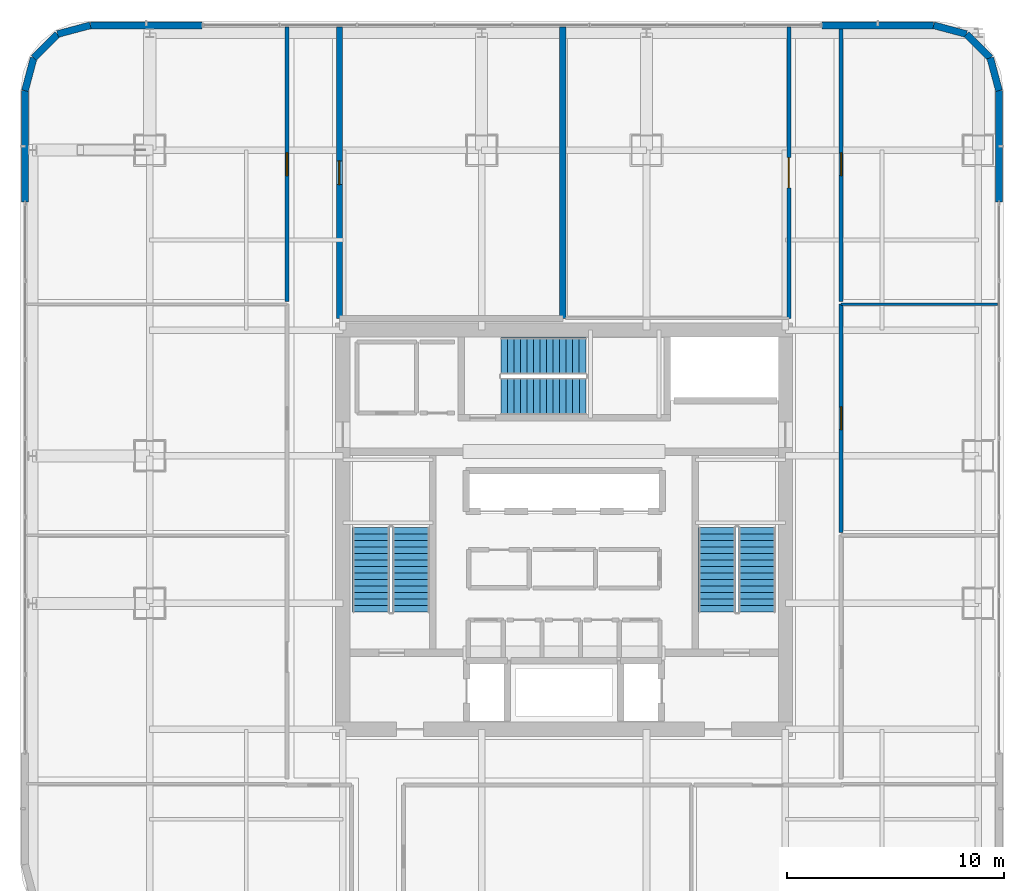
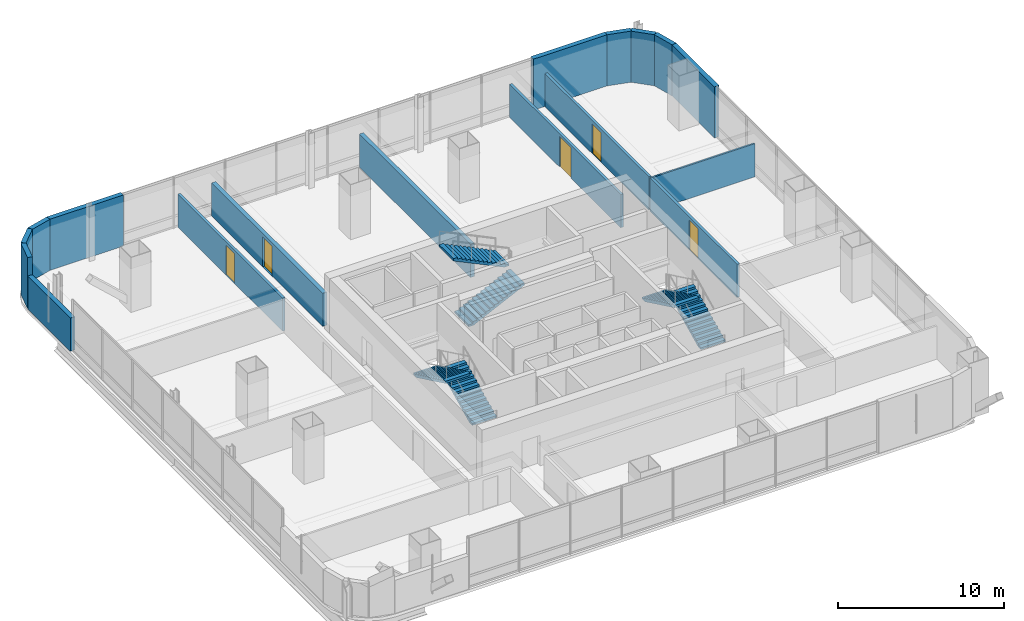
# One storey, part 35 of 47: 17 walls, 6 stair flights, 5 doors, 5 openings, 3 elements without a shape of their own.
"""IFC4 building model written with IfcOpenShell, lengths in metres."""

from ifc_helpers import new_model, si_unit, direction, frame, frame_2d, origin, place, context, subcontext, project, spatial, polyline, rectangle, outline, extrude, material, layer, layer_set, type_object, element, fill, aggregate, save


model = new_model("IFC4")

# Units and contexts
model_context = context("Model", 3, precision=1e-05, world=origin(), true_north=direction((0.0, 1.0)))
body_context = subcontext(model_context, "Body", "Model", "MODEL_VIEW")
ifc_project = project(units=[si_unit("LENGTHUNIT", "METRE"), si_unit("AREAUNIT", "SQUARE_METRE"), si_unit("VOLUMEUNIT", "CUBIC_METRE"), si_unit("PLANEANGLEUNIT", "RADIAN"), si_unit("MASSUNIT", "GRAM", prefix="KILO")], contexts=[model_context])

# Site, building, storey
site_placement = place(None, origin())
site = spatial("IfcSite", under=ifc_project, at=site_placement, CompositionType="ELEMENT")
building_placement = place(site_placement, origin())
building = spatial("IfcBuilding", under=site, at=building_placement, Name="Punatoya Terracotta Tower", CompositionType="ELEMENT")
storey_placement = place(building_placement, frame((0.0, 0.0, 168.14990234375)))
storey = spatial("IfcBuildingStorey", under=building, at=storey_placement, Name="L39", CompositionType="ELEMENT", Elevation=168.14990234375)

# Wall
ifc_material_1 = material(Name="Concrete C40/50", Category="concrete")
ifc_layer_1 = layer(ifc_material_1, 0.280029296875)
ifc_layer_set_1 = layer_set([ifc_layer_1], Name="Concrete C40/50")
wall_type_1 = type_object("IfcWallType", Name="WL-AUD-280", PredefinedType="SOLIDWALL", material=ifc_layer_set_1)
wall_1_placement = place(storey_placement, frame((-0.06005859375, 23.169921875, 0.0), z_axis=(0.0, 0.0, 1.0), x_axis=(0.0, -1.0, 0.0)))
element("IfcWall", 1, at=wall_1_placement, inside=storey, type_object=wall_type_1, Name="L39 Open-Plan Fitness Movement Lounge Partition 44", PredefinedType="SOLIDWALL", context=body_context, shape_type="SweptSolid", body=[
    extrude(rectangle(XDim=13.429931640625, YDim=0.280029296875, at=frame_2d((6.71484375, 0.0))), origin(), (0.0, 0.0, 1.0), 2.444091796875),
])

# Wall, opening, door
wall_2_placement = place(storey_placement, frame((-10.360107421875, 9.739990234375, 0.0), z_axis=(0.0, 0.0, 1.0), x_axis=(0.0, 1.0, 0.0)))
wall_2 = element("IfcWall", 2, at=wall_2_placement, inside=storey, type_object=wall_type_1, Name="L39 Open-Plan Fitness Movement Lounge Partition 46", PredefinedType="SOLIDWALL", context=body_context, shape_type="SweptSolid", body=[
    extrude(rectangle(XDim=13.429931640625, YDim=0.280029296875, at=frame_2d((6.71484375, 0.0))), origin(), (0.0, 0.0, 1.0), 2.444091796875),
])
opening_1_placement = place(wall_2_placement, frame((6.1650390625, 0.0, 0.0)))
opening_1 = element("IfcOpeningElement", 3, at=opening_1_placement, cuts=wall_2, Name="Opening FD-P1", PredefinedType="OPENING", context=body_context, shape_type="SweptSolid", body=[
    extrude(rectangle(XDim=1.10009765625, YDim=2.199951171875, at=frame_2d((0.550048828125, 1.10009765625))), frame((0.0, 0.14990234375, 0.0), z_axis=(0.0, -1.0, 0.0), x_axis=(1.0, 0.0, 0.0)), (0.0, 0.0, 1.0), 0.300048828125),
])
ifc_material_2 = material(Name="Galvanised Steel Plant Fire Door", Category="steel")
door_type_1 = type_object("IfcDoorType", Name="DR-PLT-1100", OperationType="NOTDEFINED", PredefinedType="DOOR", material=ifc_material_2)
door_1_placement = place(opening_1_placement, origin())
door_1 = element("IfcDoor", 4, at=door_1_placement, inside=storey, type_object=door_type_1, Name="L39 Open-Plan Fitness Movement Lounge Fire Door", OperationType="SINGLE_SWING_LEFT", OverallHeight=2.199951171875, OverallWidth=1.10009765625, PredefinedType="DOOR", context=body_context, shape_type="SweptSolid", body=[
    extrude(rectangle(XDim=1.10009765625, YDim=2.199951171875, at=frame_2d((0.550048828125, 1.10009765625))), frame((0.0, 0.02490234375, 0.0), z_axis=(0.0, -1.0, 0.0), x_axis=(1.0, 0.0, 0.0)), (0.0, 0.0, 1.0), 0.050048828125),
])
fill(opening_1, door_1)

ifc_material_3 = material(Name="Gypsum Fireboard + Steel Stud", Category="steel")
ifc_layer_2 = layer(ifc_material_3, 0.179931640625)
ifc_layer_set_2 = layer_set([ifc_layer_2], Name="Gypsum Fireboard + Steel Stud")
wall_type_2 = type_object("IfcWallType", Name="WL-CORR-180", PredefinedType="PARTITIONING", material=ifc_layer_set_2)
wall_3_placement = place(storey_placement, frame((12.77001953125, -0.1298828125, 0.0), z_axis=(0.0, 0.0, 1.0), x_axis=(0.0, 1.0, 0.0)))
wall_3 = element("IfcWall", 5, at=wall_3_placement, inside=storey, type_object=wall_type_2, Name="L39 Open-Plan Cultural Reading Library Partition 42", PredefinedType="PARTITIONING", context=body_context, shape_type="SweptSolid", body=[
    extrude(rectangle(XDim=10.52978515625, YDim=0.179931640625, at=frame_2d((5.264892578125, 0.0))), origin(), (0.0, 0.0, 1.0), 2.444091796875),
])
opening_2_placement = place(wall_3_placement, frame((4.739990234375, 0.0, 0.0)))
opening_2 = element("IfcOpeningElement", 6, at=opening_2_placement, cuts=wall_3, Name="Opening OD-01", PredefinedType="OPENING", context=body_context, shape_type="SweptSolid", body=[
    extrude(rectangle(XDim=1.050048828125, YDim=2.199951171875, at=frame_2d((0.52490234375, 1.10009765625))), frame((0.0, 0.099853515625, 0.0), z_axis=(0.0, -1.0, 0.0), x_axis=(1.0, 0.0, 0.0)), (0.0, 0.0, 1.0), 0.199951171875),
])
ifc_material_4 = material(Name="Bengal Teak Solid-Core Leaf")
door_type_2 = type_object("IfcDoorType", Name="DR-OFF-1050", OperationType="NOTDEFINED", PredefinedType="DOOR", material=ifc_material_4)
door_2_placement = place(opening_2_placement, origin())
door_2 = element("IfcDoor", 7, at=door_2_placement, inside=storey, type_object=door_type_2, Name="L39 Open-Plan Cultural Reading Library Door", OperationType="SINGLE_SWING_RIGHT", OverallHeight=2.199951171875, OverallWidth=1.050048828125, PredefinedType="DOOR", context=body_context, shape_type="SweptSolid", body=[
    extrude(rectangle(XDim=1.050048828125, YDim=2.199951171875, at=frame_2d((0.52490234375, 1.10009765625))), frame((0.0, 0.02490234375, 0.0), z_axis=(0.0, -1.0, 0.0), x_axis=(1.0, 0.0, 0.0)), (0.0, 0.0, 1.0), 0.050048828125),
])
fill(opening_2, door_2)

wall_4_placement = place(storey_placement, frame((10.360107421875, 23.169921875, 0.0), z_axis=(0.0, 0.0, 1.0), x_axis=(0.0, -1.0, 0.0)))
wall_4 = element("IfcWall", 8, at=wall_4_placement, inside=storey, type_object=wall_type_2, Name="L39 Open-Plan Seminar Discussion Room Partition 48", PredefinedType="PARTITIONING", context=body_context, shape_type="SweptSolid", body=[
    extrude(rectangle(XDim=13.429931640625, YDim=0.179931640625, at=frame_2d((6.71484375, 0.0))), origin(), (0.0, 0.0, 1.0), 2.444091796875),
])
opening_3_placement = place(wall_4_placement, frame((6.014892578125, 0.0, 0.0)))
opening_3 = element("IfcOpeningElement", 9, at=opening_3_placement, cuts=wall_4, Name="Opening BD-01", PredefinedType="OPENING", context=body_context, shape_type="SweptSolid", body=[
    extrude(rectangle(XDim=1.39990234375, YDim=2.25, at=frame_2d((0.699951171875, 1.125))), frame((0.0, 0.099853515625, 0.0), z_axis=(0.0, -1.0, 0.0), x_axis=(1.0, 0.0, 0.0)), (0.0, 0.0, 1.0), 0.199951171875),
])
ifc_material_5 = material(Name="Bengal Teak Acoustic Leaf")
door_type_3 = type_object("IfcDoorType", Name="DR-BRD-1400", OperationType="NOTDEFINED", PredefinedType="DOOR", material=ifc_material_5)
door_3_placement = place(opening_3_placement, origin())
door_3 = element("IfcDoor", 10, at=door_3_placement, inside=storey, type_object=door_type_3, Name="L39 Open-Plan Seminar Discussion Room Door", OperationType="SINGLE_SWING_RIGHT", OverallHeight=2.25, OverallWidth=1.39990234375, PredefinedType="DOOR", context=body_context, shape_type="SweptSolid", body=[
    extrude(rectangle(XDim=1.39990234375, YDim=2.25, at=frame_2d((0.699951171875, 1.125))), frame((0.0, 0.02490234375, 0.0), z_axis=(0.0, -1.0, 0.0), x_axis=(1.0, 0.0, 0.0)), (0.0, 0.0, 1.0), 0.050048828125),
])
fill(opening_3, door_3)

wall_5_placement = place(storey_placement, frame((12.77001953125, 10.52001953125, 0.0), z_axis=(0.0, 0.0, 1.0), x_axis=(0.0, 1.0, 0.0)))
wall_5 = element("IfcWall", 11, at=wall_5_placement, inside=storey, type_object=wall_type_2, Name="L39 Open-Plan Coaching Briefing Room Partition 49", PredefinedType="PARTITIONING", context=body_context, shape_type="SweptSolid", body=[
    extrude(rectangle(XDim=12.64990234375, YDim=0.179931640625, at=frame_2d((6.324951171875, 0.0))), origin(), (0.0, 0.0, 1.0), 2.444091796875),
])
opening_4_placement = place(wall_5_placement, frame((5.800048828125, 0.0, 0.0)))
opening_4 = element("IfcOpeningElement", 12, at=opening_4_placement, cuts=wall_5, Name="Opening OD-01", PredefinedType="OPENING", context=body_context, shape_type="SweptSolid", body=[
    extrude(rectangle(XDim=1.050048828125, YDim=2.199951171875, at=frame_2d((0.52490234375, 1.10009765625))), frame((0.0, 0.099853515625, 0.0), z_axis=(0.0, -1.0, 0.0), x_axis=(1.0, 0.0, 0.0)), (0.0, 0.0, 1.0), 0.199951171875),
])
door_4_placement = place(opening_4_placement, origin())
door_4 = element("IfcDoor", 13, at=door_4_placement, inside=storey, type_object=door_type_2, Name="L39 Open-Plan Coaching Briefing Room Door", OperationType="SINGLE_SWING_LEFT", OverallHeight=2.199951171875, OverallWidth=1.050048828125, PredefinedType="DOOR", context=body_context, shape_type="SweptSolid", body=[
    extrude(rectangle(XDim=1.050048828125, YDim=2.199951171875, at=frame_2d((0.52490234375, 1.10009765625))), frame((0.0, 0.02490234375, 0.0), z_axis=(0.0, -1.0, 0.0), x_axis=(1.0, 0.0, 0.0)), (0.0, 0.0, 1.0), 0.050048828125),
])
fill(opening_4, door_4)

wall_6_placement = place(storey_placement, frame((-12.77001953125, 23.169921875, 0.0), z_axis=(0.0, 0.0, 1.0), x_axis=(0.0, -1.0, 0.0)))
wall_6 = element("IfcWall", 14, at=wall_6_placement, inside=storey, type_object=wall_type_2, Name="L39 Open-Plan Staff Wellness Studio Partition 50", PredefinedType="PARTITIONING", context=body_context, shape_type="SweptSolid", body=[
    extrude(rectangle(XDim=12.64990234375, YDim=0.179931640625, at=frame_2d((6.324951171875, 0.0))), origin(), (0.0, 0.0, 1.0), 2.444091796875),
])
opening_5_placement = place(wall_6_placement, frame((5.800048828125, 0.0, 0.0)))
opening_5 = element("IfcOpeningElement", 15, at=opening_5_placement, cuts=wall_6, Name="Opening OD-01", PredefinedType="OPENING", context=body_context, shape_type="SweptSolid", body=[
    extrude(rectangle(XDim=1.050048828125, YDim=2.199951171875, at=frame_2d((0.52490234375, 1.10009765625))), frame((0.0, 0.099853515625, 0.0), z_axis=(0.0, -1.0, 0.0), x_axis=(1.0, 0.0, 0.0)), (0.0, 0.0, 1.0), 0.199951171875),
])
door_5_placement = place(opening_5_placement, origin())
door_5 = element("IfcDoor", 16, at=door_5_placement, inside=storey, type_object=door_type_2, Name="L39 Open-Plan Staff Wellness Studio Door", OperationType="SINGLE_SWING_RIGHT", OverallHeight=2.199951171875, OverallWidth=1.050048828125, PredefinedType="DOOR", context=body_context, shape_type="SweptSolid", body=[
    extrude(rectangle(XDim=1.050048828125, YDim=2.199951171875, at=frame_2d((0.52490234375, 1.10009765625))), frame((0.0, 0.02490234375, 0.0), z_axis=(0.0, -1.0, 0.0), x_axis=(1.0, 0.0, 0.0)), (0.0, 0.0, 1.0), 0.050048828125),
])
fill(opening_5, door_5)

# Walls
ifc_material_6 = material(Name="Precast concrete C40/50", Category="concrete")
ifc_layer_3 = layer(ifc_material_6, 0.320068359375)
ifc_layer_set_3 = layer_set([ifc_layer_3], Name="Precast concrete C40/50")
wall_type_3 = type_object("IfcWallType", Name="WL-EXT-320", PredefinedType="SOLIDWALL", material=ifc_layer_set_3)
wall_7_placement = place(storey_placement, frame((20.050048828125, 15.10009765625, 0.0), z_axis=(0.0, 0.0, 1.0), x_axis=(0.0, 1.0, 0.0)))
element("IfcWall", 17, at=wall_7_placement, inside=storey, type_object=wall_type_3, Name="L39 Terracotta Braced Facade Wall E2", PredefinedType="SOLIDWALL", context=body_context, shape_type="SweptSolid", body=[
    extrude(rectangle(XDim=5.13671875, YDim=0.320068359375, at=frame_2d((2.568359375, 0.0))), origin(), (0.0, 0.0, 1.0), 3.77001953125),
])
wall_8_placement = place(storey_placement, frame((20.050048828125, 20.23681640625, 0.0), z_axis=(0.0, 0.0, 1.0), x_axis=(-0.257847112249, 0.966185730957, 0.0)))
element("IfcWall", 18, at=wall_8_placement, inside=storey, type_object=wall_type_3, Name="L39 Rounded Terracotta Corner Pier 06", PredefinedType="SOLIDWALL", context=body_context, shape_type="SweptSolid", body=[
    extrude(rectangle(XDim=1.565185546875, YDim=0.320068359375, at=frame_2d((0.78271484375, 0.0))), origin(), (0.0, 0.0, 1.0), 3.77001953125),
])
wall_9_placement = place(storey_placement, frame((19.646484375, 21.7490234375, 0.0), z_axis=(0.0, 0.0, 1.0), x_axis=(-0.707028130747, 0.707185422879, 0.0)))
element("IfcWall", 19, at=wall_9_placement, inside=storey, type_object=wall_type_3, Name="L39 Rounded Terracotta Corner Pier 07", PredefinedType="SOLIDWALL", context=body_context, shape_type="SweptSolid", body=[
    extrude(rectangle(XDim=1.55224609375, YDim=0.320068359375, at=frame_2d((0.776123046875, 0.0))), origin(), (0.0, 0.0, 1.0), 3.77001953125),
])
wall_10_placement = place(storey_placement, frame((18.549072265625, 22.8466796875, 0.0), z_axis=(0.0, 0.0, 1.0), x_axis=(-0.966224582397, 0.257701486942, 0.0)))
element("IfcWall", 20, at=wall_10_placement, inside=storey, type_object=wall_type_3, Name="L39 Rounded Terracotta Corner Pier 08", PredefinedType="SOLIDWALL", context=body_context, shape_type="SweptSolid", body=[
    extrude(rectangle(XDim=1.565185546875, YDim=0.320068359375, at=frame_2d((0.78271484375, 0.0))), origin(), (0.0, 0.0, 1.0), 3.77001953125),
])
for number, where, z_axis, x_axis, name in (
    (21, (17.036865234375, 23.25, 0.0), (0.0, 0.0, 1.0), (-1.0, 0.0, 0.0), "L39 Terracotta Braced Facade Wall N1"),
    (22, (-16.699951171875, 23.25, 0.0), (0.0, 0.0, 1.0), (-1.0, 0.0, 0.0), "L39 Terracotta Braced Facade Wall N2"),
):
    element("IfcWall", number, at=place(storey_placement, frame(where, z_axis=z_axis, x_axis=x_axis)), inside=storey, type_object=wall_type_3, Name=name, PredefinedType="SOLIDWALL", context=body_context, shape_type="SweptSolid", body=[
        extrude(rectangle(XDim=5.136962890625, YDim=0.320068359375, at=frame_2d((2.568359375, 0.0))), origin(), (0.0, 0.0, 1.0), 3.77001953125),
    ])
wall_11_placement = place(storey_placement, frame((-21.8369140625, 23.25, 0.0), z_axis=(0.0, 0.0, 1.0), x_axis=(-0.966224582397, -0.257701486942, 0.0)))
element("IfcWall", 23, at=wall_11_placement, inside=storey, type_object=wall_type_3, Name="L39 Rounded Terracotta Corner Pier 10", PredefinedType="SOLIDWALL", context=body_context, shape_type="SweptSolid", body=[
    extrude(rectangle(XDim=1.565185546875, YDim=0.320068359375, at=frame_2d((0.78271484375, 0.0))), origin(), (0.0, 0.0, 1.0), 3.77001953125),
])
wall_12_placement = place(storey_placement, frame((-23.34912109375, 22.8466796875, 0.0), z_axis=(0.0, 0.0, 1.0), x_axis=(-0.707028130747, -0.707185422879, 0.0)))
element("IfcWall", 24, at=wall_12_placement, inside=storey, type_object=wall_type_3, Name="L39 Rounded Terracotta Corner Pier 11", PredefinedType="SOLIDWALL", context=body_context, shape_type="SweptSolid", body=[
    extrude(rectangle(XDim=1.55224609375, YDim=0.320068359375, at=frame_2d((0.776123046875, 0.0))), origin(), (0.0, 0.0, 1.0), 3.77001953125),
])
wall_13_placement = place(storey_placement, frame((-24.446533203125, 21.7490234375, 0.0), z_axis=(0.0, 0.0, 1.0), x_axis=(-0.257847112249, -0.966185730957, 0.0)))
element("IfcWall", 25, at=wall_13_placement, inside=storey, type_object=wall_type_3, Name="L39 Rounded Terracotta Corner Pier 12", PredefinedType="SOLIDWALL", context=body_context, shape_type="SweptSolid", body=[
    extrude(rectangle(XDim=1.565185546875, YDim=0.320068359375, at=frame_2d((0.78271484375, 0.0))), origin(), (0.0, 0.0, 1.0), 3.77001953125),
])
wall_14_placement = place(storey_placement, frame((-24.85009765625, 20.23681640625, 0.0), z_axis=(0.0, 0.0, 1.0), x_axis=(0.0, -1.0, 0.0)))
element("IfcWall", 26, at=wall_14_placement, inside=storey, type_object=wall_type_3, Name="L39 Terracotta Braced Facade Wall W1", PredefinedType="SOLIDWALL", context=body_context, shape_type="SweptSolid", body=[
    extrude(rectangle(XDim=5.13671875, YDim=0.320068359375, at=frame_2d((2.568359375, 0.0))), origin(), (0.0, 0.0, 1.0), 2.444091796875),
])
ifc_material_7 = material(Name="Gypsum Partition + Steel Stud", Category="steel")
ifc_layer_4 = layer(ifc_material_7, 0.1201171875)
ifc_layer_set_4 = layer_set([ifc_layer_4], Name="Gypsum Partition + Steel Stud")
wall_type_4 = type_object("IfcWallType", Name="WL-OFF-120", PredefinedType="PARTITIONING", material=ifc_layer_set_4)
wall_15_placement = place(storey_placement, frame((12.77001953125, 10.39990234375, 0.0), z_axis=(0.0, 0.0, 1.0), x_axis=(1.0, 0.0, 0.0)))
element("IfcWall", 27, at=wall_15_placement, inside=storey, type_object=wall_type_4, Name="L39 Open-Plan Cultural Reading Library Partition 43", PredefinedType="PARTITIONING", context=body_context, shape_type="SweptSolid", body=[
    extrude(rectangle(XDim=7.199951171875, YDim=0.1201171875, at=frame_2d((3.60009765625, 0.0))), origin(), (0.0, 0.0, 1.0), 2.444091796875),
])

# Stair, stair flights
stair_type_1 = type_object("IfcStairType", Name="STR-CORE-1550", PredefinedType="HALF_TURN_STAIR", material=ifc_material_1)
stair_1_placement = place(storey_placement, origin())
stair_1 = element("IfcStair", 28, at=stair_1_placement, inside=storey, type_object=stair_type_1, Name="L39 Protected Core Exit Stair ST-1", PredefinedType="HALF_TURN_STAIR")
stair_flight_type_1 = type_object("IfcStairFlightType", Name="SFL-CORE-1550", PredefinedType="STRAIGHT", material=ifc_material_1)
stair_flight_1_placement = place(storey_placement, frame((-7.050048828125, -3.800048828125, 0.0), z_axis=(0.0, 0.0, 1.0), x_axis=(0.0, 1.0, 0.0)))
stair_flight_1 = element("IfcStairFlight", 29, at=stair_flight_1_placement, type_object=stair_flight_type_1, Name="ST-1 flight 1", NumberOfRisers=14, NumberOfTreads=13, PredefinedType="STRAIGHT", RiserHeight=0.144642857, TreadLength=0.3, context=body_context, shape_type="SweptSolid", body=[
    extrude(outline(polyline([(0.0, 0.0), (0.0, 0.14453125), (0.300048828125, 0.14453125), (0.300048828125, 0.289306640625), (0.60009765625, 0.289306640625), (0.60009765625, 0.433837890625), (0.89990234375, 0.433837890625), (0.89990234375, 0.57861328125), (1.199951171875, 0.57861328125), (1.199951171875, 0.72314453125), (1.5, 0.72314453125), (1.5, 0.867919921875), (1.800048828125, 0.867919921875), (1.800048828125, 1.012451171875), (2.10009765625, 1.012451171875), (2.10009765625, 1.1572265625), (2.39990234375, 1.1572265625), (2.39990234375, 1.3017578125), (2.699951171875, 1.3017578125), (2.699951171875, 1.446533203125), (3.0, 1.446533203125), (3.0, 1.591064453125), (3.300048828125, 1.591064453125), (3.300048828125, 1.735595703125), (3.60009765625, 1.735595703125), (3.60009765625, 1.88037109375), (3.89990234375, 1.88037109375), (3.89990234375, 2.02490234375), (3.89990234375, 1.7138671875), (0.34521484375, 0.0), (0.0, 0.0)])), frame((0.0, 0.85009765625, 0.0), z_axis=(0.0, -1.0, 0.0), x_axis=(1.0, 0.0, 0.0)), (0.0, 0.0, 1.0), 1.699951171875),
])
stair_flight_2_placement = place(storey_placement, frame((-8.89990234375, 0.10009765625, 2.025146484375), z_axis=(0.0, 0.0, 1.0), x_axis=(0.0, -1.0, 0.0)))
stair_flight_2 = element("IfcStairFlight", 30, at=stair_flight_2_placement, type_object=stair_flight_type_1, Name="ST-1 flight 2", NumberOfRisers=14, NumberOfTreads=13, PredefinedType="STRAIGHT", RiserHeight=0.144642857, TreadLength=0.3, context=body_context, shape_type="SweptSolid", body=[
    extrude(outline(polyline([(0.0, 0.0), (0.0, 0.14453125), (0.300048828125, 0.14453125), (0.300048828125, 0.289306640625), (0.60009765625, 0.289306640625), (0.60009765625, 0.433837890625), (0.89990234375, 0.433837890625), (0.89990234375, 0.57861328125), (1.199951171875, 0.57861328125), (1.199951171875, 0.72314453125), (1.5, 0.72314453125), (1.5, 0.867919921875), (1.800048828125, 0.867919921875), (1.800048828125, 1.012451171875), (2.10009765625, 1.012451171875), (2.10009765625, 1.1572265625), (2.39990234375, 1.1572265625), (2.39990234375, 1.3017578125), (2.699951171875, 1.3017578125), (2.699951171875, 1.446533203125), (3.0, 1.446533203125), (3.0, 1.591064453125), (3.300048828125, 1.591064453125), (3.300048828125, 1.735595703125), (3.60009765625, 1.735595703125), (3.60009765625, 1.88037109375), (3.89990234375, 1.88037109375), (3.89990234375, 2.02490234375), (3.89990234375, 1.7138671875), (0.34521484375, 0.0), (0.0, 0.0)])), frame((0.0, 0.85009765625, 0.0), z_axis=(0.0, -1.0, 0.0), x_axis=(1.0, 0.0, 0.0)), (0.0, 0.0, 1.0), 1.699951171875),
])
aggregate(stair_1, [stair_flight_1, stair_flight_2])

stair_type_2 = type_object("IfcStairType", Name="STR-LOB-1650", PredefinedType="HALF_TURN_STAIR", material=ifc_material_1)
stair_2_placement = place(storey_placement, origin())
stair_2 = element("IfcStair", 31, at=stair_2_placement, inside=storey, type_object=stair_type_2, Name="L39 Protected Core Exit Stair ST-2", PredefinedType="HALF_TURN_STAIR")
stair_flight_type_2 = type_object("IfcStairFlightType", Name="SFL-LOB-1650", PredefinedType="STRAIGHT", material=ifc_material_1)
stair_flight_3_placement = place(storey_placement, frame((8.89990234375, -3.800048828125, 0.0), z_axis=(0.0, 0.0, 1.0), x_axis=(0.0, 1.0, 0.0)))
stair_flight_3 = element("IfcStairFlight", 32, at=stair_flight_3_placement, type_object=stair_flight_type_2, Name="ST-2 flight 1", NumberOfRisers=14, NumberOfTreads=13, PredefinedType="STRAIGHT", RiserHeight=0.144642857, TreadLength=0.3, context=body_context, shape_type="SweptSolid", body=[
    extrude(outline(polyline([(0.0, 0.0), (0.0, 0.14453125), (0.300048828125, 0.14453125), (0.300048828125, 0.289306640625), (0.60009765625, 0.289306640625), (0.60009765625, 0.433837890625), (0.89990234375, 0.433837890625), (0.89990234375, 0.57861328125), (1.199951171875, 0.57861328125), (1.199951171875, 0.72314453125), (1.5, 0.72314453125), (1.5, 0.867919921875), (1.800048828125, 0.867919921875), (1.800048828125, 1.012451171875), (2.10009765625, 1.012451171875), (2.10009765625, 1.1572265625), (2.39990234375, 1.1572265625), (2.39990234375, 1.3017578125), (2.699951171875, 1.3017578125), (2.699951171875, 1.446533203125), (3.0, 1.446533203125), (3.0, 1.591064453125), (3.300048828125, 1.591064453125), (3.300048828125, 1.735595703125), (3.60009765625, 1.735595703125), (3.60009765625, 1.88037109375), (3.89990234375, 1.88037109375), (3.89990234375, 2.02490234375), (3.89990234375, 1.7138671875), (0.34521484375, 0.0), (0.0, 0.0)])), frame((0.0, 0.85009765625, 0.0), z_axis=(0.0, -1.0, 0.0), x_axis=(1.0, 0.0, 0.0)), (0.0, 0.0, 1.0), 1.699951171875),
])
stair_flight_4_placement = place(storey_placement, frame((7.050048828125, 0.10009765625, 2.025146484375), z_axis=(0.0, 0.0, 1.0), x_axis=(0.0, -1.0, 0.0)))
stair_flight_4 = element("IfcStairFlight", 33, at=stair_flight_4_placement, type_object=stair_flight_type_2, Name="ST-2 flight 2", NumberOfRisers=14, NumberOfTreads=13, PredefinedType="STRAIGHT", RiserHeight=0.144642857, TreadLength=0.3, context=body_context, shape_type="SweptSolid", body=[
    extrude(outline(polyline([(0.0, 0.0), (0.0, 0.14453125), (0.300048828125, 0.14453125), (0.300048828125, 0.289306640625), (0.60009765625, 0.289306640625), (0.60009765625, 0.433837890625), (0.89990234375, 0.433837890625), (0.89990234375, 0.57861328125), (1.199951171875, 0.57861328125), (1.199951171875, 0.72314453125), (1.5, 0.72314453125), (1.5, 0.867919921875), (1.800048828125, 0.867919921875), (1.800048828125, 1.012451171875), (2.10009765625, 1.012451171875), (2.10009765625, 1.1572265625), (2.39990234375, 1.1572265625), (2.39990234375, 1.3017578125), (2.699951171875, 1.3017578125), (2.699951171875, 1.446533203125), (3.0, 1.446533203125), (3.0, 1.591064453125), (3.300048828125, 1.591064453125), (3.300048828125, 1.735595703125), (3.60009765625, 1.735595703125), (3.60009765625, 1.88037109375), (3.89990234375, 1.88037109375), (3.89990234375, 2.02490234375), (3.89990234375, 1.7138671875), (0.34521484375, 0.0), (0.0, 0.0)])), frame((0.0, 0.85009765625, 0.0), z_axis=(0.0, -1.0, 0.0), x_axis=(1.0, 0.0, 0.0)), (0.0, 0.0, 1.0), 1.699951171875),
])
aggregate(stair_2, [stair_flight_3, stair_flight_4])

stair_type_3 = type_object("IfcStairType", Name="STR-TER-1450", PredefinedType="HALF_TURN_STAIR", material=ifc_material_1)
stair_3_placement = place(storey_placement, origin())
stair_3 = element("IfcStair", 34, at=stair_3_placement, inside=storey, type_object=stair_type_3, Name="L39 Protected Core Exit Stair ST-3", PredefinedType="HALF_TURN_STAIR")
stair_flight_type_3 = type_object("IfcStairFlightType", Name="SFL-TER-1450", PredefinedType="STRAIGHT", material=ifc_material_1)
stair_flight_5_placement = place(storey_placement, frame((-2.89990234375, 6.14990234375, 0.0), z_axis=(0.0, 0.0, 1.0), x_axis=(1.0, 0.0, 0.0)))
stair_flight_5 = element("IfcStairFlight", 35, at=stair_flight_5_placement, type_object=stair_flight_type_3, Name="ST-3 flight 1", NumberOfRisers=14, NumberOfTreads=13, PredefinedType="STRAIGHT", RiserHeight=0.144642857, TreadLength=0.3, context=body_context, shape_type="SweptSolid", body=[
    extrude(outline(polyline([(0.0, 0.0), (0.0, 0.14453125), (0.300048828125, 0.14453125), (0.300048828125, 0.289306640625), (0.60009765625, 0.289306640625), (0.60009765625, 0.433837890625), (0.89990234375, 0.433837890625), (0.89990234375, 0.57861328125), (1.199951171875, 0.57861328125), (1.199951171875, 0.72314453125), (1.5, 0.72314453125), (1.5, 0.867919921875), (1.800048828125, 0.867919921875), (1.800048828125, 1.012451171875), (2.10009765625, 1.012451171875), (2.10009765625, 1.1572265625), (2.39990234375, 1.1572265625), (2.39990234375, 1.3017578125), (2.699951171875, 1.3017578125), (2.699951171875, 1.446533203125), (3.0, 1.446533203125), (3.0, 1.591064453125), (3.300048828125, 1.591064453125), (3.300048828125, 1.735595703125), (3.60009765625, 1.735595703125), (3.60009765625, 1.88037109375), (3.89990234375, 1.88037109375), (3.89990234375, 2.02490234375), (3.89990234375, 1.7138671875), (0.34521484375, 0.0), (0.0, 0.0)])), frame((0.0, 0.85009765625, 0.0), z_axis=(0.0, -1.0, 0.0), x_axis=(1.0, 0.0, 0.0)), (0.0, 0.0, 1.0), 1.699951171875),
])
stair_flight_6_placement = place(storey_placement, frame((1.0, 8.0, 2.025146484375), z_axis=(0.0, 0.0, 1.0), x_axis=(-1.0, 0.0, 0.0)))
stair_flight_6 = element("IfcStairFlight", 36, at=stair_flight_6_placement, type_object=stair_flight_type_3, Name="ST-3 flight 2", NumberOfRisers=14, NumberOfTreads=13, PredefinedType="STRAIGHT", RiserHeight=0.144642857, TreadLength=0.3, context=body_context, shape_type="SweptSolid", body=[
    extrude(outline(polyline([(0.0, 0.0), (0.0, 0.14453125), (0.300048828125, 0.14453125), (0.300048828125, 0.289306640625), (0.60009765625, 0.289306640625), (0.60009765625, 0.433837890625), (0.89990234375, 0.433837890625), (0.89990234375, 0.57861328125), (1.199951171875, 0.57861328125), (1.199951171875, 0.72314453125), (1.5, 0.72314453125), (1.5, 0.867919921875), (1.800048828125, 0.867919921875), (1.800048828125, 1.012451171875), (2.10009765625, 1.012451171875), (2.10009765625, 1.1572265625), (2.39990234375, 1.1572265625), (2.39990234375, 1.3017578125), (2.699951171875, 1.3017578125), (2.699951171875, 1.446533203125), (3.0, 1.446533203125), (3.0, 1.591064453125), (3.300048828125, 1.591064453125), (3.300048828125, 1.735595703125), (3.60009765625, 1.735595703125), (3.60009765625, 1.88037109375), (3.89990234375, 1.88037109375), (3.89990234375, 2.02490234375), (3.89990234375, 1.7138671875), (0.34521484375, 0.0), (0.0, 0.0)])), frame((0.0, 0.85009765625, 0.0), z_axis=(0.0, -1.0, 0.0), x_axis=(1.0, 0.0, 0.0)), (0.0, 0.0, 1.0), 1.699951171875),
])
aggregate(stair_3, [stair_flight_5, stair_flight_6])

save(model, "model.ifc")
